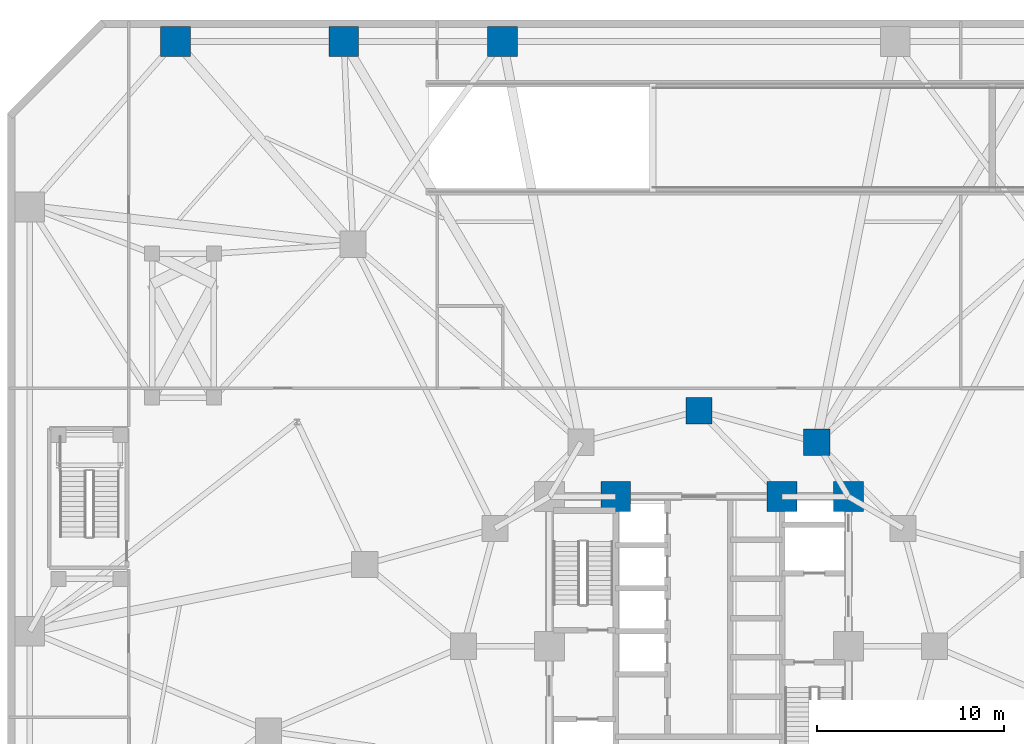
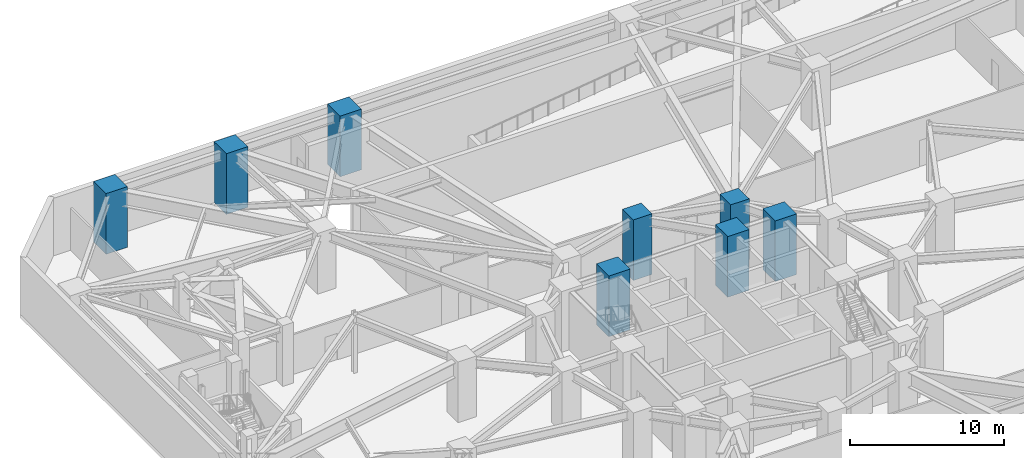
# One storey, part 5 of 18: 8 columns.
"""IFC4 building model written with IfcOpenShell, lengths in metres."""

import ifcopenshell
import ifcopenshell.guid

model = None  # the IFC model being written
_history = None  # IfcOwnerHistory: only IFC2X3 demands one
_inside = {}  # id of a spatial element -> (the spatial element, [elements in it])
_under = {}  # id of a project, library or spatial element -> (it, [spatial elements below it])
_declared = {}  # id of a project -> (the project, [libraries it declares])
_typed = {}  # id of a type object -> (the type object, [elements of that type])
_made_of = {}  # id of a material, layer set ... -> (it, [elements and type objects made of it])


def new_model(schema):
    """Start an empty IFC model of exactly this schema.

    Asked for "IFC4X3", IfcOpenShell would pick the latest addendum, in which some entities
    have other attributes; the version numbers below select the first issue.
    IFC2X3 requires an IfcOwnerHistory on every rooted entity: one is made here for all.
    """
    global model, _history
    if schema == "IFC4X3":
        model = ifcopenshell.file(schema_version=(4, 3, 0, 0))
    else:
        model = ifcopenshell.file(schema=schema)
    _inside.clear()
    _under.clear()
    _declared.clear()
    _typed.clear()
    _made_of.clear()
    _history = None
    if model.schema == "IFC2X3":
        org = make("IfcOrganization", Name="unknown")
        user = make(
            "IfcPersonAndOrganization",
            ThePerson=make("IfcPerson", FamilyName="unknown"),
            TheOrganization=org,
        )
        app = make(
            "IfcApplication",
            ApplicationDeveloper=org,
            Version="unknown",
            ApplicationFullName="unknown",
            ApplicationIdentifier="unknown",
        )
        _history = make(
            "IfcOwnerHistory",
            OwningUser=user,
            OwningApplication=app,
            ChangeAction="ADDED",
            CreationDate=0,
        )
    return model


def make(cls, **values):
    """One entity of the class cls with the attributes given. An attribute that is None is left unset."""
    return model.create_entity(
        cls, **{name: value for name, value in values.items() if value is not None}
    )


def rooted(cls, **values):
    """An entity with a GlobalId (a new one), such as an element, a storey or a relation."""
    return make(cls, GlobalId=ifcopenshell.guid.new(), OwnerHistory=_history, **values)


def si_unit(unit_type, name, prefix=None):
    """IfcSIUnit, for example si_unit("LENGTHUNIT", "METRE", prefix="MILLI")."""
    return make("IfcSIUnit", UnitType=unit_type, Prefix=prefix, Name=name)


def assignment(units):
    """IfcUnitAssignment: the units of a project."""
    return None if units is None else make("IfcUnitAssignment", Units=units)


def point(xyz):
    """IfcCartesianPoint."""
    return None if xyz is None else make("IfcCartesianPoint", Coordinates=xyz)


def direction(xyz):
    """IfcDirection."""
    return None if xyz is None else make("IfcDirection", DirectionRatios=xyz)


def frame(location, z_axis=None, x_axis=None):
    """IfcAxis2Placement3D, a coordinate frame: its origin and axes. An axis left out is left unset."""
    return make(
        "IfcAxis2Placement3D",
        Location=point(location),
        Axis=direction(z_axis),
        RefDirection=direction(x_axis),
    )


def frame_2d(location, x_axis=None):
    """IfcAxis2Placement2D, a coordinate frame in the plane: its origin and x axis."""
    return make(
        "IfcAxis2Placement2D", Location=point(location), RefDirection=direction(x_axis)
    )


def origin():
    """The frame at (0, 0, 0) with its axes left unset."""
    return frame((0.0, 0.0, 0.0))


def origin_2d():
    """The frame at (0, 0) in the plane with its x axis left unset."""
    return frame_2d((0.0, 0.0))


def place(relative_to, where):
    """IfcLocalPlacement: puts the frame where relative to a parent placement (None: the world)."""
    return make(
        "IfcLocalPlacement", PlacementRelTo=relative_to, RelativePlacement=where
    )


def context(
    kind, dimensions, precision=None, world=None, true_north=None, identifier=None
):
    """IfcGeometricRepresentationContext, for example the 3D "Model" context."""
    return make(
        "IfcGeometricRepresentationContext",
        ContextIdentifier=identifier,
        ContextType=kind,
        CoordinateSpaceDimension=dimensions,
        Precision=precision,
        WorldCoordinateSystem=world,
        TrueNorth=true_north,
    )


def subcontext(parent, identifier, kind, view, scale=None):
    """IfcGeometricRepresentationSubContext, for example "Body" below "Model"."""
    return make(
        "IfcGeometricRepresentationSubContext",
        ContextIdentifier=identifier,
        ContextType=kind,
        ParentContext=parent,
        TargetScale=scale,
        TargetView=view,
    )


def project(units=None, contexts=None):
    """IfcProject with its units and contexts."""
    return rooted(
        "IfcProject",
        Name="project",
        RepresentationContexts=contexts,
        UnitsInContext=assignment(units),
    )


def spatial(cls, under=None, at=None, **own):
    """A site, building, storey or space (cls), placed at a placement, below another one or the project."""
    s = rooted(cls, ObjectPlacement=at, **own)
    if under is not None:
        _under.setdefault(under.id(), (under, []))[1].append(s)
    return s


def profile(cls, at=None, kind="AREA", **sizes):
    """A parametric profile (cls). Its sizes go by their IFC names, for example OverallWidth=200.0."""
    return make(cls, ProfileType=kind, Position=at, **sizes)


def rectangle(**sizes):
    """IfcRectangleProfileDef."""
    return profile("IfcRectangleProfileDef", **sizes)


def extrude(swept, where, along, depth):
    """IfcExtrudedAreaSolid: the profile swept, set in the frame where, extruded along a direction by depth."""
    return make(
        "IfcExtrudedAreaSolid",
        SweptArea=swept,
        Position=where,
        ExtrudedDirection=direction(along),
        Depth=depth,
    )


def shape(context_of_items, identifier, shape_type, items):
    """IfcShapeRepresentation: the items that make up one representation, for example the "Body"."""
    return make(
        "IfcShapeRepresentation",
        ContextOfItems=context_of_items,
        RepresentationIdentifier=identifier,
        RepresentationType=shape_type,
        Items=items,
    )


def material(Name=None, Category=None):
    """IfcMaterial."""
    return make("IfcMaterial", Name=Name, Category=Category)


def material_profile(
    of_material, cross_section, Name=None, Category=None, Priority=None
):
    """IfcMaterialProfile: a cross section and its material."""
    return make(
        "IfcMaterialProfile",
        Name=Name,
        Material=of_material,
        Profile=cross_section,
        Priority=Priority,
        Category=Category,
    )


def profile_set(profiles, Name=None, composite=None):
    """IfcMaterialProfileSet."""
    return make(
        "IfcMaterialProfileSet",
        Name=Name,
        MaterialProfiles=profiles,
        CompositeProfile=composite,
    )


def made_of(thing, what):
    """Note that an element or type object is made of a material, layer set ...; save() writes the relation."""
    if what is not None:
        _made_of.setdefault(what.id(), (what, []))[1].append(thing)
    return thing


def type_object(cls, material=None, **own):
    """A type object (cls), such as IfcWallType, which elements share."""
    return made_of(rooted(cls, **own), material)


def element(
    cls,
    number,
    at=None,
    inside=None,
    cuts=None,
    type_object=None,
    material=None,
    context=None,
    identifier="Body",
    shape_type=None,
    held_by="IfcProductDefinitionShape",
    body=None,
    shapes=None,
    **own,
):
    """One element of the class cls, such as IfcWall. Its Tag is "e" and its number.

    at: its placement. inside: the storey or other place that contains it. cuts: it is an
    opening in that element (IfcRelVoidsElement). A single representation is given by context,
    identifier, shape_type and body (its items); several are given by shapes. held_by: the class
    of the entity that holds the representations. save() writes the other relations.
    """
    e = rooted(cls, Tag="e%d" % number, ObjectPlacement=at, **own)
    if body is not None:
        shapes = [shape(context, identifier, shape_type, body)]
    if shapes is not None:
        e.Representation = make(held_by, Representations=shapes)
    if inside is not None:
        _inside.setdefault(inside.id(), (inside, []))[1].append(e)
    if cuts is not None:
        rooted(
            "IfcRelVoidsElement", RelatingBuildingElement=cuts, RelatedOpeningElement=e
        )
    if type_object is not None:
        _typed.setdefault(type_object.id(), (type_object, []))[1].append(e)
    return made_of(e, material)


def aggregate(whole, parts):
    """IfcRelAggregates: a whole, such as a stair, and the parts it consists of."""
    return rooted("IfcRelAggregates", RelatingObject=whole, RelatedObjects=parts)


def save(model, path):
    """Write the relations noted so far, then the file.

    IfcRelAggregates (storeys below a building ...), IfcRelContainedInSpatialStructure (elements
    in a storey), IfcRelDefinesByType, IfcRelAssociatesMaterial and IfcRelDeclares: one each for
    every whole, place, type object, material and project.
    """
    for whole, parts in _under.values():
        aggregate(whole, parts)
    for where, things in _inside.values():
        rooted(
            "IfcRelContainedInSpatialStructure",
            RelatedElements=things,
            RelatingStructure=where,
        )
    for kind, things in _typed.values():
        rooted("IfcRelDefinesByType", RelatedObjects=things, RelatingType=kind)
    for what, things in _made_of.values():
        rooted("IfcRelAssociatesMaterial", RelatedObjects=things, RelatingMaterial=what)
    for by, libraries in _declared.values():
        rooted("IfcRelDeclares", RelatingContext=by, RelatedDefinitions=libraries)
    model.write(path)


model = new_model("IFC4")

# Units and contexts
model_context = context("Model", 3, precision=1e-05, world=origin(), true_north=direction((0.0, 1.0)))
body_context = subcontext(model_context, "Body", "Model", "MODEL_VIEW")
ifc_project = project(units=[si_unit("LENGTHUNIT", "METRE"), si_unit("AREAUNIT", "SQUARE_METRE"), si_unit("VOLUMEUNIT", "CUBIC_METRE"), si_unit("PLANEANGLEUNIT", "RADIAN"), si_unit("MASSUNIT", "GRAM", prefix="KILO")], contexts=[model_context])

# Site, building, storey
site_placement = place(None, origin())
site = spatial("IfcSite", under=ifc_project, at=site_placement, CompositionType="ELEMENT")
building_placement = place(site_placement, origin())
building = spatial("IfcBuilding", under=site, at=building_placement, Name="Terralouvre Media Tower", CompositionType="ELEMENT")
storey_placement = place(building_placement, frame((0.0, 0.0, -4.800048828125)))
storey = spatial("IfcBuildingStorey", under=building, at=storey_placement, Name="B01", CompositionType="ELEMENT", Elevation=-4.800048828125)

# Columns
ifc_material_1 = material(Name="Concrete C60/75", Category="concrete")
ifc_material_profile_1 = material_profile(ifc_material_1, rectangle(XDim=1.39990234375, YDim=1.39990234375, at=origin_2d()), Name="RC 1400x1400")
ifc_profile_set_1 = profile_set([ifc_material_profile_1], Name="Concrete C60/75")
column_type_1 = type_object("IfcColumnType", Name="Structural Column C-RC1400 (RC 1400x1400)", PredefinedType="COLUMN", material=ifc_profile_set_1)
for number, where, z_axis, x_axis, name in (
    (1, (6.300048828125, 10.911865234375, 0.0), (0.0, 0.0, 1.0), (1.0, 0.0, 0.0), "B01 Mega-Frame Column MC03"),
    (2, (0.0, 12.60009765625, 0.0), (0.0, 0.0, 1.0), (1.0, 0.0, 0.0), "B01 Mega-Frame Column MC04"),
):
    element("IfcColumn", number, at=place(storey_placement, frame(where, z_axis=z_axis, x_axis=x_axis)), inside=storey, type_object=column_type_1, Name=name, PredefinedType="COLUMN", context=body_context, shape_type="SweptSolid", body=[
        extrude(rectangle(XDim=1.39990234375, YDim=1.39990234375, at=origin_2d()), origin(), (0.0, 0.0, 1.0), 4.800048828125),
    ])
ifc_material_2 = material(Name="Concrete C60/75", Category="concrete")
ifc_material_profile_2 = material_profile(ifc_material_2, rectangle(XDim=1.60009765625, YDim=1.60009765625, at=origin_2d()), Name="RC 1600x1600")
ifc_profile_set_2 = profile_set([ifc_material_profile_2], Name="Concrete C60/75")
column_type_2 = type_object("IfcColumnType", Name="Structural Column C-RC1600 (RC 1600x1600)", PredefinedType="COLUMN", material=ifc_profile_set_2)
for number, where, z_axis, x_axis, name in (
    (3, (8.0, 8.0, 0.0), (0.0, 0.0, 1.0), (1.0, 0.0, 0.0), "B01 Core Pilaster Column CP5"),
    (4, (4.449951171875, 8.0, 0.0), (0.0, 0.0, 1.0), (1.0, 0.0, 0.0), "B01 Core Pilaster Column CP9"),
    (5, (-4.449951171875, 8.0, 0.0), (0.0, 0.0, 1.0), (1.0, 0.0, 0.0), "B01 Core Pilaster Column CP6"),
    (6, (-10.5, 32.35009765625, 0.0), (0.0, 0.0, 1.0), (1.0, 0.0, 0.0), "B01 Perimeter Mega-Column PM13"),
    (7, (-19.0, 32.35009765625, 0.0), (0.0, 0.0, 1.0), (1.0, 0.0, 0.0), "B01 Perimeter Mega-Column PM14"),
    (8, (-28.0, 32.35009765625, 0.0), (0.0, 0.0, 1.0), (1.0, 0.0, 0.0), "B01 Perimeter Mega-Column PM15"),
):
    element("IfcColumn", number, at=place(storey_placement, frame(where, z_axis=z_axis, x_axis=x_axis)), inside=storey, type_object=column_type_2, Name=name, PredefinedType="COLUMN", context=body_context, shape_type="SweptSolid", body=[
        extrude(rectangle(XDim=1.60009765625, YDim=1.60009765625, at=origin_2d()), origin(), (0.0, 0.0, 1.0), 4.800048828125),
    ])

save(model, "model.ifc")
